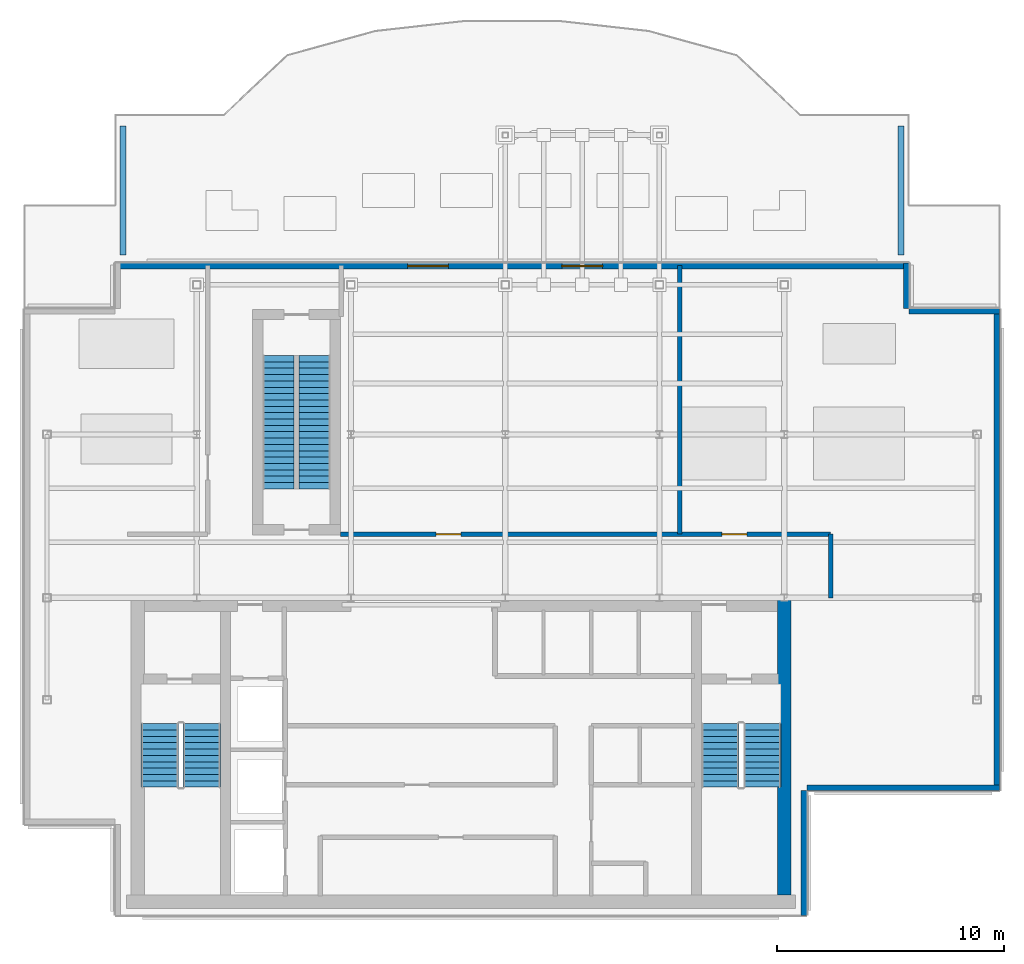
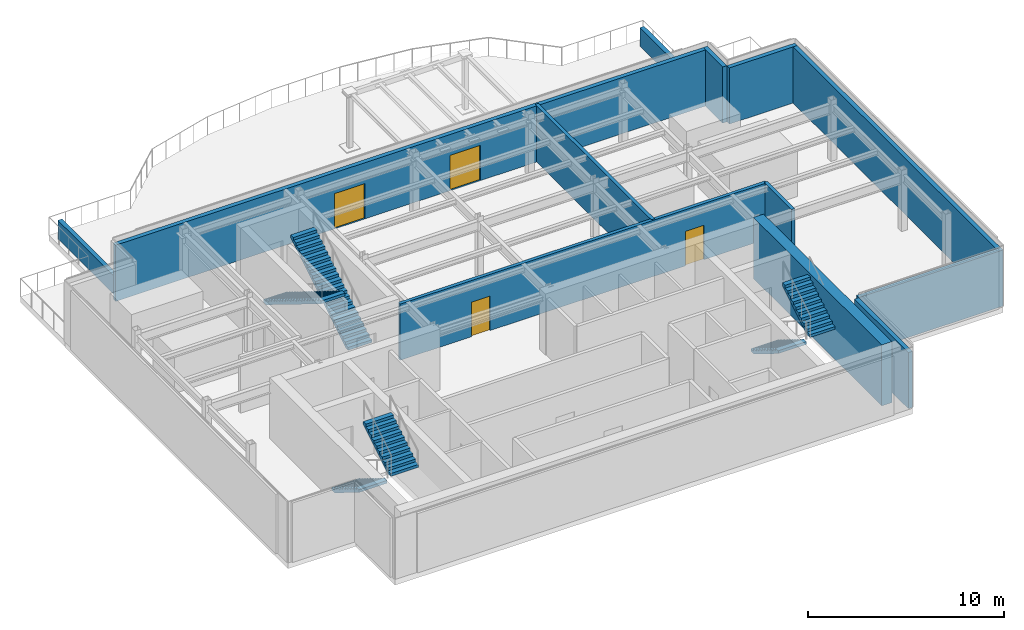
# One storey, part 5 of 9: 12 walls, 6 stair flights, 4 doors, 4 openings, 4 elements without a shape of their own.
"""IFC4 building model written with IfcOpenShell, lengths in metres."""

from ifc_helpers import new_model, si_unit, derived_unit, direction, frame, frame_2d, origin, place, context, subcontext, project, spatial, polyline, rectangle, outline, extrude, source, transform, mapped, material, layer, layer_set, type_object, element, fill, aggregate, save


model = new_model("IFC4")

# Units and contexts
model_context = context("Model", 3, precision=1e-05, world=origin(), true_north=direction((0.0, 1.0)))
body_context = subcontext(model_context, "Body", "Model", "MODEL_VIEW")
ifc_project = project(units=[si_unit("LENGTHUNIT", "METRE"), si_unit("AREAUNIT", "SQUARE_METRE"), si_unit("VOLUMEUNIT", "CUBIC_METRE"), si_unit("PLANEANGLEUNIT", "RADIAN"), si_unit("MASSUNIT", "GRAM", prefix="KILO"), derived_unit("THERMALTRANSMITTANCEUNIT", [(si_unit("POWERUNIT", "WATT"), 1), (si_unit("LENGTHUNIT", "METRE"), -2), (si_unit("THERMODYNAMICTEMPERATUREUNIT", "KELVIN"), -1)])], contexts=[model_context])

# Site, building, storey
site_placement = place(None, origin())
site = spatial("IfcSite", under=ifc_project, at=site_placement, CompositionType="ELEMENT")
building_placement = place(site_placement, origin())
building = spatial("IfcBuilding", under=site, at=building_placement, Name="Skarnbrae Concourse Arena and Tower", CompositionType="ELEMENT")
storey_placement = place(building_placement, frame((0.0, 0.0, 292.25)))
storey = spatial("IfcBuildingStorey", under=building, at=storey_placement, Name="L76", CompositionType="ELEMENT", Elevation=292.25)

# Walls
ifc_material_1 = material(Name="Concrete 50 MPa (C50/60)", Category="concrete")
ifc_layer_1 = layer(ifc_material_1, 0.60009765625)
ifc_layer_set_1 = layer_set([ifc_layer_1], Name="Concrete 50 MPa (C50/60)")
wall_type_1 = type_object("IfcWallType", Name="WALL-CORE-600-C50", PredefinedType="SHEAR", material=ifc_layer_set_1)
shared_shape_1 = source(origin(), body_context, "Body", "SweptSolid", [
    extrude(rectangle(XDim=13.10009765625, YDim=0.60009765625, at=frame_2d((6.550048828125, 0.0))), origin(), (0.0, 0.0, 1.0), 3.800048828125),
])
wall_1_placement = place(storey_placement, frame((33.5, 0.89990234375, 0.0), z_axis=(0.0, 0.0, 1.0), x_axis=(0.0, 1.0, 0.0)))
element("IfcWall", 1, at=wall_1_placement, inside=storey, type_object=wall_type_1, Name="L76 Rear core shear wall CW-E", PredefinedType="SHEAR", context=body_context, shape_type="MappedRepresentation", body=[
    mapped(shared_shape_1, transform((0.0, 0.0, 0.0))),
])
ifc_material_2 = material(Name="Precast concrete 40 MPa (C40/50)", Category="concrete")
ifc_layer_2 = layer(ifc_material_2, 0.25)
ifc_layer_set_2 = layer_set([ifc_layer_2], Name="Precast concrete 40 MPa (C40/50)")
wall_type_2 = type_object("IfcWallType", Name="WALL-CROWN-BRONZE-250", PredefinedType="STANDARD", material=ifc_layer_set_2)
shared_shape_2 = source(origin(), body_context, "Body", "SweptSolid", [
    extrude(rectangle(XDim=5.5, YDim=0.25, at=frame_2d((2.75, 0.0))), origin(), (0.0, 0.0, 1.0), 3.5),
])
wall_2_placement = place(storey_placement, frame((34.375, 0.0, 0.0), z_axis=(0.0, 0.0, 1.0), x_axis=(0.0, 1.0, 0.0)))
element("IfcWall", 2, at=wall_2_placement, inside=storey, type_object=wall_type_2, Name="L76 Crown enclosure wall 02", PredefinedType="STANDARD", context=body_context, shape_type="MappedRepresentation", body=[
    mapped(shared_shape_2, transform((0.0, 0.0, 0.0))),
])
shared_shape_3 = source(origin(), body_context, "Body", "SweptSolid", [
    extrude(rectangle(XDim=8.5, YDim=0.25, at=frame_2d((4.25, 0.0))), origin(), (0.0, 0.0, 1.0), 3.5),
])
wall_3_placement = place(storey_placement, frame((34.5, 5.625, 0.0), z_axis=(0.0, 0.0, 1.0), x_axis=(1.0, 0.0, 0.0)))
element("IfcWall", 3, at=wall_3_placement, inside=storey, type_object=wall_type_2, Name="L76 Crown enclosure wall 03", PredefinedType="STANDARD", context=body_context, shape_type="MappedRepresentation", body=[
    mapped(shared_shape_3, transform((0.0, 0.0, 0.0))),
])
shared_shape_4 = source(origin(), body_context, "Body", "SweptSolid", [
    extrude(rectangle(XDim=21.25, YDim=0.25, at=frame_2d((10.625, 0.0))), origin(), (0.0, 0.0, 1.0), 3.5),
])
wall_4_placement = place(storey_placement, frame((42.875, 5.5, 0.0), z_axis=(0.0, 0.0, 1.0), x_axis=(0.0, 1.0, 0.0)))
element("IfcWall", 4, at=wall_4_placement, inside=storey, type_object=wall_type_2, Name="L76 Crown enclosure wall 04", PredefinedType="STANDARD", context=body_context, shape_type="MappedRepresentation", body=[
    mapped(shared_shape_4, transform((0.0, 0.0, 0.0))),
])
shared_shape_5 = source(origin(), body_context, "Body", "SweptSolid", [
    extrude(rectangle(XDim=4.0, YDim=0.25, at=frame_2d((2.0, 0.0))), origin(), (0.0, 0.0, 1.0), 3.5),
])
wall_5_placement = place(storey_placement, frame((43.0, 26.625, 0.0), z_axis=(0.0, 0.0, 1.0), x_axis=(-1.0, 0.0, 0.0)))
element("IfcWall", 5, at=wall_5_placement, inside=storey, type_object=wall_type_2, Name="L76 Crown enclosure wall 05", PredefinedType="STANDARD", context=body_context, shape_type="MappedRepresentation", body=[
    mapped(shared_shape_5, transform((0.0, 0.0, 0.0))),
])
shared_shape_6 = source(origin(), body_context, "Body", "SweptSolid", [
    extrude(rectangle(XDim=2.0, YDim=0.25, at=frame_2d((1.0, 0.0))), origin(), (0.0, 0.0, 1.0), 3.5),
])
wall_6_placement = place(storey_placement, frame((38.875, 26.75, 0.0), z_axis=(0.0, 0.0, 1.0), x_axis=(0.0, 1.0, 0.0)))
element("IfcWall", 6, at=wall_6_placement, inside=storey, type_object=wall_type_2, Name="L76 Crown enclosure wall 06", PredefinedType="STANDARD", context=body_context, shape_type="MappedRepresentation", body=[
    mapped(shared_shape_6, transform((0.0, 0.0, 0.0))),
])

# Wall, openings, doors
shared_shape_7 = source(origin(), body_context, "Body", "SweptSolid", [
    extrude(rectangle(XDim=35.0, YDim=0.25, at=frame_2d((17.5, 0.0))), origin(), (0.0, 0.0, 1.0), 3.5),
])
wall_7_placement = place(storey_placement, frame((39.0, 28.625, 0.0), z_axis=(0.0, 0.0, 1.0), x_axis=(-1.0, 0.0, 0.0)))
wall_7 = element("IfcWall", 7, at=wall_7_placement, inside=storey, type_object=wall_type_2, Name="L76 Crown enclosure wall 07", PredefinedType="STANDARD", context=body_context, shape_type="MappedRepresentation", body=[
    mapped(shared_shape_7, transform((0.0, 0.0, 0.0))),
])
opening_1_placement = place(wall_7_placement, frame((13.5, 0.0, 0.0)))
opening_1 = element("IfcOpeningElement", 8, at=opening_1_placement, cuts=wall_7, Name="Opening DT-02", PredefinedType="OPENING", context=body_context, shape_type="SweptSolid", body=[
    extrude(rectangle(XDim=1.800048828125, YDim=2.199951171875, at=frame_2d((0.89990234375, 1.10009765625))), frame((0.0, 0.135009765625, 0.0), z_axis=(0.0, -1.0, 0.0), x_axis=(1.0, 0.0, 0.0)), (0.0, 0.0, 1.0), 0.27001953125),
])
opening_2_placement = place(wall_7_placement, frame((20.300048828125, 0.0, 0.0)))
opening_2 = element("IfcOpeningElement", 9, at=opening_2_placement, cuts=wall_7, Name="Opening DT-02", PredefinedType="OPENING", context=body_context, shape_type="SweptSolid", body=[
    extrude(rectangle(XDim=1.800048828125, YDim=2.199951171875, at=frame_2d((0.89990234375, 1.10009765625))), frame((0.0, 0.135009765625, 0.0), z_axis=(0.0, -1.0, 0.0), x_axis=(1.0, 0.0, 0.0)), (0.0, 0.0, 1.0), 0.27001953125),
])
ifc_material_3 = material(Name="Bronze anodised aluminium 6063-T6", Category="aluminium")
door_type_1 = type_object("IfcDoorType", Name="DOOR-TERRACE-1800", OperationType="DOUBLE_DOOR_SINGLE_SWING", PredefinedType="DOOR", material=ifc_material_3)
shared_shape_8 = source(origin(), body_context, "Body", "SweptSolid", [
    extrude(rectangle(XDim=1.800048828125, YDim=2.199951171875, at=frame_2d((0.89990234375, 1.10009765625))), frame((0.0, 0.02490234375, 0.0), z_axis=(0.0, -1.0, 0.0), x_axis=(1.0, 0.0, 0.0)), (0.0, 0.0, 1.0), 0.050048828125),
])
door_1_placement = place(opening_1_placement, frame((1.800048828125, 0.0, 0.0), z_axis=(0.0, 0.0, 1.0), x_axis=(-1.0, 0.0, 0.0)))
door_1 = element("IfcDoor", 10, at=door_1_placement, inside=storey, type_object=door_type_1, Name="D-0042 Sky Garden Terrace Door 1", OperationType="DOUBLE_DOOR_SINGLE_SWING", OverallHeight=2.199951171875, OverallWidth=1.800048828125, PredefinedType="DOOR", context=body_context, shape_type="MappedRepresentation", body=[
    mapped(shared_shape_8, transform((0.0, 0.0, 0.0))),
])
fill(opening_1, door_1)
door_2_placement = place(opening_2_placement, frame((1.800048828125, 0.0, 0.0), z_axis=(0.0, 0.0, 1.0), x_axis=(-1.0, 0.0, 0.0)))
door_2 = element("IfcDoor", 11, at=door_2_placement, inside=storey, type_object=door_type_1, Name="D-0043 Sky Garden Terrace Door 2", OperationType="DOUBLE_DOOR_SINGLE_SWING", OverallHeight=2.199951171875, OverallWidth=1.800048828125, PredefinedType="DOOR", context=body_context, shape_type="MappedRepresentation", body=[
    mapped(shared_shape_8, transform((0.0, 0.0, 0.0))),
])
fill(opening_2, door_2)

# Walls
ifc_layer_3 = layer(ifc_material_2, 0.25)
ifc_layer_set_3 = layer_set([ifc_layer_3], Name="Precast concrete 40 MPa (C40/50)")
wall_type_3 = type_object("IfcWallType", Name="WALL-PARAPET-250", PredefinedType="PARAPET", material=ifc_layer_set_3)
shared_shape_9 = source(origin(), body_context, "Body", "SweptSolid", [
    extrude(rectangle(XDim=5.699951171875, YDim=0.25, at=frame_2d((2.85009765625, 0.0))), origin(), (0.0, 0.0, 1.0), 1.14990234375),
])
for number, where, z_axis, x_axis, name in (
    (12, (4.35009765625, 29.10009765625, 0.0), (0.0, 0.0, 1.0), (0.0, 1.0, 0.0), "L76 Sky Garden flank wind-parapet wall W"),
    (13, (38.64990234375, 29.10009765625, 0.0), (0.0, 0.0, 1.0), (0.0, 1.0, 0.0), "L76 Sky Garden flank wind-parapet wall E"),
):
    element("IfcWall", number, at=place(storey_placement, frame(where, z_axis=z_axis, x_axis=x_axis)), inside=storey, type_object=wall_type_3, Name=name, PredefinedType="PARAPET", context=body_context, shape_type="MappedRepresentation", body=[
        mapped(shared_shape_9, transform((0.0, 0.0, 0.0))),
    ])
ifc_material_4 = material(Name="Gypsum board on cold-formed steel studs", Category="steel")
ifc_layer_4 = layer(ifc_material_4, 0.199951171875)
ifc_layer_set_4 = layer_set([ifc_layer_4], Name="Gypsum board on cold-formed steel studs")
wall_type_4 = type_object("IfcWallType", Name="WALL-PART-200-2HR", PredefinedType="PARTITIONING", material=ifc_layer_set_4)
shared_shape_10 = source(origin(), body_context, "Body", "SweptSolid", [
    extrude(rectangle(XDim=11.849853515625, YDim=0.199951171875, at=frame_2d((5.9248046875, 0.0))), origin(), (0.0, 0.0, 1.0), 3.5),
])
wall_8_placement = place(storey_placement, frame((28.89990234375, 16.800048828125, 0.0), z_axis=(0.0, 0.0, 1.0), x_axis=(0.0, 1.0, 0.0)))
element("IfcWall", 14, at=wall_8_placement, inside=storey, type_object=wall_type_4, Name="L76 Interior partition wall W-L76-D2", PredefinedType="PARTITIONING", context=body_context, shape_type="MappedRepresentation", body=[
    mapped(shared_shape_10, transform((0.0, 0.0, 0.0))),
])

# Wall, openings, doors
shared_shape_11 = source(origin(), body_context, "Body", "SweptSolid", [
    extrude(rectangle(XDim=21.60009765625, YDim=0.199951171875, at=frame_2d((10.800048828125, 0.0))), origin(), (0.0, 0.0, 1.0), 3.5),
])
wall_9_placement = place(storey_placement, frame((13.949951171875, 16.800048828125, 0.0), z_axis=(0.0, 0.0, 1.0), x_axis=(1.0, 0.0, 0.0)))
wall_9 = element("IfcWall", 15, at=wall_9_placement, inside=storey, type_object=wall_type_4, Name="L76 Interior partition wall W-L76-CE1", PredefinedType="PARTITIONING", context=body_context, shape_type="MappedRepresentation", body=[
    mapped(shared_shape_11, transform((0.0, 0.0, 0.0))),
])
opening_3_placement = place(wall_9_placement, frame((4.199951171875, 0.0, 0.0)))
opening_3 = element("IfcOpeningElement", 16, at=opening_3_placement, cuts=wall_9, Name="Opening DT-03", PredefinedType="OPENING", context=body_context, shape_type="SweptSolid", body=[
    extrude(rectangle(XDim=1.10009765625, YDim=2.14990234375, at=frame_2d((0.550048828125, 1.074951171875))), frame((0.0, 0.10986328125, 0.0), z_axis=(0.0, -1.0, 0.0), x_axis=(1.0, 0.0, 0.0)), (0.0, 0.0, 1.0), 0.219970703125),
])
opening_4_placement = place(wall_9_placement, frame((16.800048828125, 0.0, 0.0)))
opening_4 = element("IfcOpeningElement", 17, at=opening_4_placement, cuts=wall_9, Name="Opening DT-03", PredefinedType="OPENING", context=body_context, shape_type="SweptSolid", body=[
    extrude(rectangle(XDim=1.10009765625, YDim=2.14990234375, at=frame_2d((0.550048828125, 1.074951171875))), frame((0.0, 0.10986328125, 0.0), z_axis=(0.0, -1.0, 0.0), x_axis=(1.0, 0.0, 0.0)), (0.0, 0.0, 1.0), 0.219970703125),
])
ifc_material_5 = material(Name="Steel CSA G40.21 350W", Category="steel")
door_type_2 = type_object("IfcDoorType", Name="DOOR-FIRE-1100-90M", OperationType="NOTDEFINED", PredefinedType="DOOR", material=ifc_material_5)
shared_shape_12 = source(origin(), body_context, "Body", "SweptSolid", [
    extrude(rectangle(XDim=1.10009765625, YDim=2.14990234375, at=frame_2d((0.550048828125, 1.074951171875))), frame((0.0, 0.02490234375, 0.0), z_axis=(0.0, -1.0, 0.0), x_axis=(1.0, 0.0, 0.0)), (0.0, 0.0, 1.0), 0.050048828125),
])
door_3_placement = place(opening_3_placement, origin())
door_3 = element("IfcDoor", 18, at=door_3_placement, inside=storey, type_object=door_type_2, Name="D-2304 Conservatory Lounge Door", OperationType="SINGLE_SWING_LEFT", OverallHeight=2.14990234375, OverallWidth=1.10009765625, PredefinedType="DOOR", context=body_context, shape_type="MappedRepresentation", body=[
    mapped(shared_shape_12, transform((0.0, 0.0, 0.0))),
])
fill(opening_3, door_3)
door_4_placement = place(opening_4_placement, origin())
door_4 = element("IfcDoor", 19, at=door_4_placement, inside=storey, type_object=door_type_2, Name="D-2305 Cooling Tower Plant Door", OperationType="SINGLE_SWING_RIGHT", OverallHeight=2.14990234375, OverallWidth=1.10009765625, PredefinedType="DOOR", context=body_context, shape_type="MappedRepresentation", body=[
    mapped(shared_shape_12, transform((0.0, 0.0, 0.0))),
])
fill(opening_4, door_4)

# Wall
shared_shape_13 = source(origin(), body_context, "Body", "SweptSolid", [
    extrude(rectangle(XDim=2.800048828125, YDim=0.199951171875, at=frame_2d((1.39990234375, 0.0))), origin(), (0.0, 0.0, 1.0), 3.5),
])
wall_10_placement = place(storey_placement, frame((35.550048828125, 14.0, 0.0), z_axis=(0.0, 0.0, 1.0), x_axis=(0.0, 1.0, 0.0)))
element("IfcWall", 20, at=wall_10_placement, inside=storey, type_object=wall_type_4, Name="L76 Interior partition wall W-L76-CE2", PredefinedType="PARTITIONING", context=body_context, shape_type="MappedRepresentation", body=[
    mapped(shared_shape_13, transform((0.0, 0.0, 0.0))),
])

# Stair, stair flights
ifc_material_6 = material(Name="Concrete 40 MPa (C40/50)", Category="concrete")
stair_type_1 = type_object("IfcStairType", Name="STAIR-DOGLEG-1650", PredefinedType="HALF_TURN_STAIR", material=ifc_material_6)
stair_1_placement = place(storey_placement, origin())
stair_1 = element("IfcStair", 21, at=stair_1_placement, inside=storey, type_object=stair_type_1, Name="L76 Protected Exit Stair ST-1", PredefinedType="HALF_TURN_STAIR")
stair_flight_type_1 = type_object("IfcStairFlightType", Name="FLIGHT-STRAIGHT-1650", PredefinedType="STRAIGHT", material=ifc_material_6)
shared_shape_14 = source(origin(), body_context, "Body", "SweptSolid", [
    extrude(outline(polyline([(0.0, 0.0), (0.0, 0.172607421875), (0.280029296875, 0.172607421875), (0.280029296875, 0.345458984375), (0.56005859375, 0.345458984375), (0.56005859375, 0.51806640625), (0.840087890625, 0.51806640625), (0.840087890625, 0.69091796875), (1.1201171875, 0.69091796875), (1.1201171875, 0.863525390625), (1.39990234375, 0.863525390625), (1.39990234375, 1.036376953125), (1.679931640625, 1.036376953125), (1.679931640625, 1.208984375), (1.9599609375, 1.208984375), (1.9599609375, 1.3818359375), (2.239990234375, 1.3818359375), (2.239990234375, 1.554443359375), (2.52001953125, 1.554443359375), (2.52001953125, 1.727294921875), (2.800048828125, 1.727294921875), (2.800048828125, 1.89990234375), (2.800048828125, 1.551025390625), (0.285400390625, 0.0), (0.0, 0.0)])), frame((0.0, 0.824951171875, 0.0), z_axis=(0.0, -1.0, 0.0), x_axis=(1.0, 0.0, 0.0)), (0.0, 0.0, 1.0), 1.64990234375),
])
stair_flight_1_placement = place(storey_placement, frame((5.97509765625, 8.449951171875, 0.0), z_axis=(0.0, 0.0, 1.0), x_axis=(0.0, -1.0, 0.0)))
stair_flight_1 = element("IfcStairFlight", 22, at=stair_flight_1_placement, type_object=stair_flight_type_1, Name="ST-1 flight 1", NumberOfRisers=11, NumberOfTreads=10, PredefinedType="STRAIGHT", RiserHeight=0.172727273, TreadLength=0.28, context=body_context, shape_type="MappedRepresentation", body=[
    mapped(shared_shape_14, transform((0.0, 0.0, 0.0))),
])
stair_flight_2_placement = place(storey_placement, frame((7.824951171875, 5.64990234375, 1.89990234375), z_axis=(0.0, 0.0, 1.0), x_axis=(0.0, 1.0, 0.0)))
stair_flight_2 = element("IfcStairFlight", 23, at=stair_flight_2_placement, type_object=stair_flight_type_1, Name="ST-1 flight 2", NumberOfRisers=11, NumberOfTreads=10, PredefinedType="STRAIGHT", RiserHeight=0.172727273, TreadLength=0.28, context=body_context, shape_type="MappedRepresentation", body=[
    mapped(shared_shape_14, transform((0.0, 0.0, 0.0))),
])
aggregate(stair_1, [stair_flight_1, stair_flight_2])

stair_2_placement = place(storey_placement, origin())
stair_2 = element("IfcStair", 24, at=stair_2_placement, inside=storey, type_object=stair_type_1, Name="L76 Protected Exit Stair ST-2", PredefinedType="HALF_TURN_STAIR")
stair_flight_3_placement = place(storey_placement, frame((30.675048828125, 8.449951171875, 0.0), z_axis=(0.0, 0.0, 1.0), x_axis=(0.0, -1.0, 0.0)))
stair_flight_3 = element("IfcStairFlight", 25, at=stair_flight_3_placement, type_object=stair_flight_type_1, Name="ST-2 flight 1", NumberOfRisers=11, NumberOfTreads=10, PredefinedType="STRAIGHT", RiserHeight=0.172727273, TreadLength=0.28, context=body_context, shape_type="MappedRepresentation", body=[
    mapped(shared_shape_14, transform((0.0, 0.0, 0.0))),
])
stair_flight_4_placement = place(storey_placement, frame((32.52490234375, 5.64990234375, 1.89990234375), z_axis=(0.0, 0.0, 1.0), x_axis=(0.0, 1.0, 0.0)))
stair_flight_4 = element("IfcStairFlight", 26, at=stair_flight_4_placement, type_object=stair_flight_type_1, Name="ST-2 flight 2", NumberOfRisers=11, NumberOfTreads=10, PredefinedType="STRAIGHT", RiserHeight=0.172727273, TreadLength=0.28, context=body_context, shape_type="MappedRepresentation", body=[
    mapped(shared_shape_14, transform((0.0, 0.0, 0.0))),
])
aggregate(stair_2, [stair_flight_3, stair_flight_4])

# Stair, stair flight
stair_type_2 = type_object("IfcStairType", Name="STAIR-SCISSOR-1400", PredefinedType="USERDEFINED", material=ifc_material_6)
stair_3_placement = place(storey_placement, origin())
stair_3 = element("IfcStair", 27, at=stair_3_placement, inside=storey, type_object=stair_type_2, Name="L76 Crown Service Scissor Stair A", ObjectType="SCISSOR", PredefinedType="USERDEFINED")
stair_flight_type_2 = type_object("IfcStairFlightType", Name="FLIGHT-STRAIGHT-1400", PredefinedType="STRAIGHT", material=ifc_material_6)
shared_shape_15 = source(origin(), body_context, "Body", "SweptSolid", [
    extrude(outline(polyline([(0.0, 0.0), (0.0, 0.172607421875), (0.280029296875, 0.172607421875), (0.280029296875, 0.345458984375), (0.56005859375, 0.345458984375), (0.56005859375, 0.51806640625), (0.840087890625, 0.51806640625), (0.840087890625, 0.69091796875), (1.1201171875, 0.69091796875), (1.1201171875, 0.863525390625), (1.39990234375, 0.863525390625), (1.39990234375, 1.036376953125), (1.679931640625, 1.036376953125), (1.679931640625, 1.208984375), (1.9599609375, 1.208984375), (1.9599609375, 1.3818359375), (2.239990234375, 1.3818359375), (2.239990234375, 1.554443359375), (2.52001953125, 1.554443359375), (2.52001953125, 1.727294921875), (2.800048828125, 1.727294921875), (2.800048828125, 1.89990234375), (3.080078125, 1.89990234375), (3.080078125, 2.07275390625), (3.360107421875, 2.07275390625), (3.360107421875, 2.245361328125), (3.639892578125, 2.245361328125), (3.639892578125, 2.418212890625), (3.919921875, 2.418212890625), (3.919921875, 2.5908203125), (4.199951171875, 2.5908203125), (4.199951171875, 2.763671875), (4.47998046875, 2.763671875), (4.47998046875, 2.936279296875), (4.760009765625, 2.936279296875), (4.760009765625, 3.109130859375), (5.0400390625, 3.109130859375), (5.0400390625, 3.28173828125), (5.320068359375, 3.28173828125), (5.320068359375, 3.45458984375), (5.60009765625, 3.45458984375), (5.60009765625, 3.627197265625), (5.8798828125, 3.627197265625), (5.8798828125, 3.800048828125), (5.8798828125, 3.451171875), (0.285400390625, 0.0), (0.0, 0.0)])), frame((0.0, 0.699951171875, 0.0), z_axis=(0.0, -1.0, 0.0), x_axis=(1.0, 0.0, 0.0)), (0.0, 0.0, 1.0), 1.39990234375),
])
stair_flight_5_placement = place(storey_placement, frame((12.800048828125, 18.800048828125, 0.0), z_axis=(0.0, 0.0, 1.0), x_axis=(0.0, 1.0, 0.0)))
stair_flight_5 = element("IfcStairFlight", 28, at=stair_flight_5_placement, type_object=stair_flight_type_2, Name="ST-CRWNA flight 1", NumberOfRisers=22, NumberOfTreads=21, PredefinedType="STRAIGHT", RiserHeight=0.172727273, TreadLength=0.28, context=body_context, shape_type="MappedRepresentation", body=[
    mapped(shared_shape_15, transform((0.0, 0.0, 0.0))),
])
aggregate(stair_3, [stair_flight_5])

stair_4_placement = place(storey_placement, origin())
stair_4 = element("IfcStair", 29, at=stair_4_placement, inside=storey, type_object=stair_type_2, Name="L76 Crown Service Scissor Stair B", ObjectType="SCISSOR", PredefinedType="USERDEFINED")
stair_flight_6_placement = place(storey_placement, frame((11.199951171875, 24.679931640625, 0.0), z_axis=(0.0, 0.0, 1.0), x_axis=(0.0, -1.0, 0.0)))
stair_flight_6 = element("IfcStairFlight", 30, at=stair_flight_6_placement, type_object=stair_flight_type_2, Name="ST-CRWNB flight 1", NumberOfRisers=22, NumberOfTreads=21, PredefinedType="STRAIGHT", RiserHeight=0.172727273, TreadLength=0.28, context=body_context, shape_type="MappedRepresentation", body=[
    mapped(shared_shape_15, transform((0.0, 0.0, 0.0))),
])
aggregate(stair_4, [stair_flight_6])

save(model, "model.ifc")
